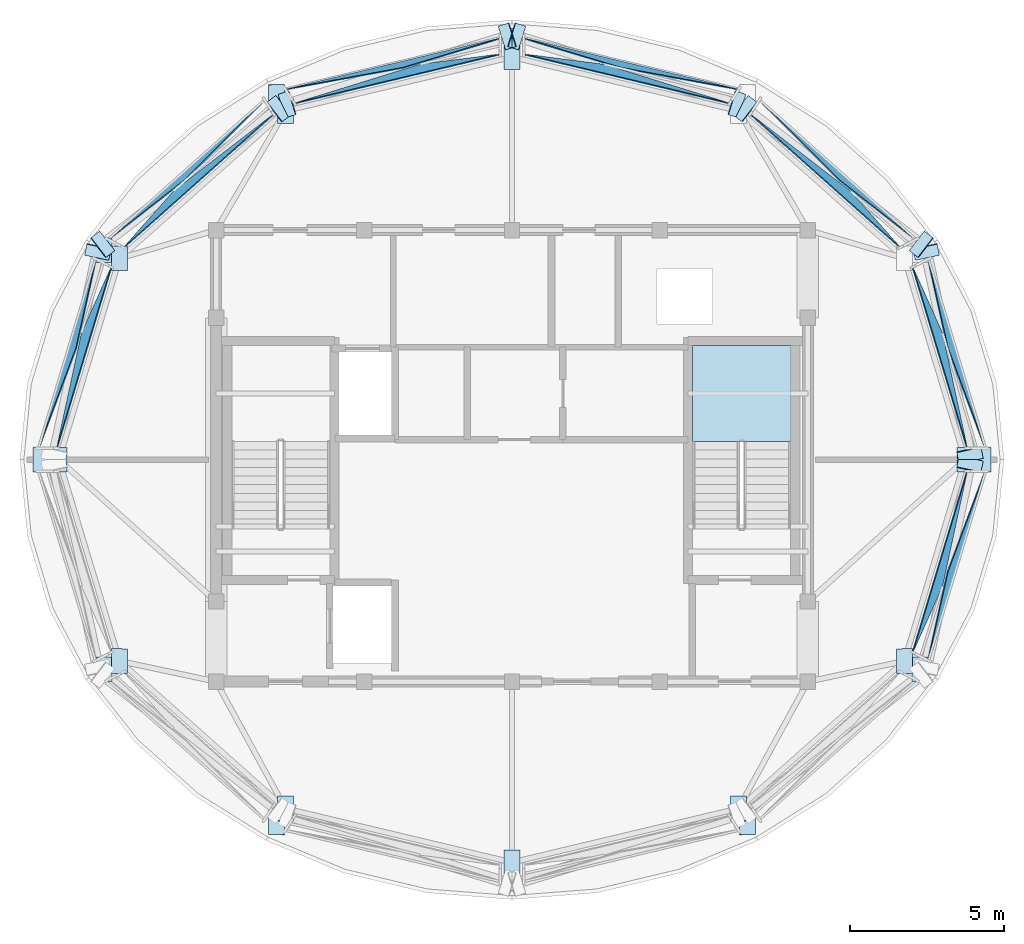
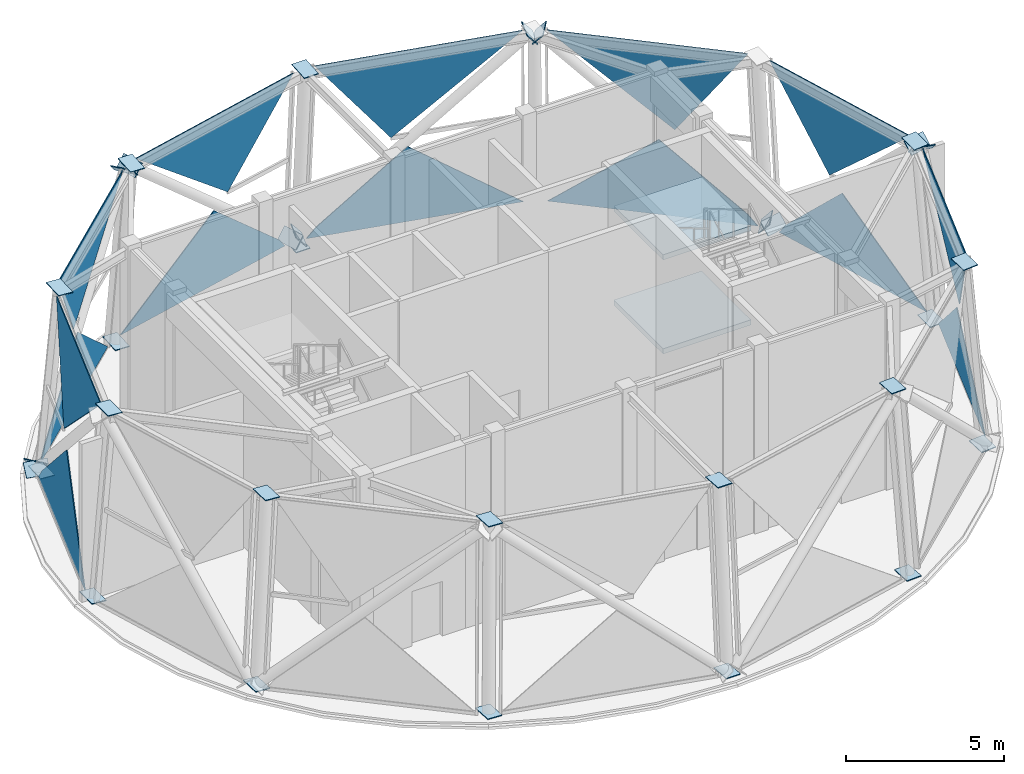
# One storey, part 4 of 8: 46 plates, 2 slabs, 8 elements without a shape of their own.
"""IFC4 building model written with IfcOpenShell, lengths in metres."""

import ifcopenshell
import ifcopenshell.guid

model = None  # the IFC model being written
_history = None  # IfcOwnerHistory: only IFC2X3 demands one
_inside = {}  # id of a spatial element -> (the spatial element, [elements in it])
_under = {}  # id of a project, library or spatial element -> (it, [spatial elements below it])
_declared = {}  # id of a project -> (the project, [libraries it declares])
_typed = {}  # id of a type object -> (the type object, [elements of that type])
_made_of = {}  # id of a material, layer set ... -> (it, [elements and type objects made of it])


def new_model(schema):
    """Start an empty IFC model of exactly this schema.

    Asked for "IFC4X3", IfcOpenShell would pick the latest addendum, in which some entities
    have other attributes; the version numbers below select the first issue.
    IFC2X3 requires an IfcOwnerHistory on every rooted entity: one is made here for all.
    """
    global model, _history
    if schema == "IFC4X3":
        model = ifcopenshell.file(schema_version=(4, 3, 0, 0))
    else:
        model = ifcopenshell.file(schema=schema)
    _inside.clear()
    _under.clear()
    _declared.clear()
    _typed.clear()
    _made_of.clear()
    _history = None
    if model.schema == "IFC2X3":
        org = make("IfcOrganization", Name="unknown")
        user = make(
            "IfcPersonAndOrganization",
            ThePerson=make("IfcPerson", FamilyName="unknown"),
            TheOrganization=org,
        )
        app = make(
            "IfcApplication",
            ApplicationDeveloper=org,
            Version="unknown",
            ApplicationFullName="unknown",
            ApplicationIdentifier="unknown",
        )
        _history = make(
            "IfcOwnerHistory",
            OwningUser=user,
            OwningApplication=app,
            ChangeAction="ADDED",
            CreationDate=0,
        )
    return model


def make(cls, **values):
    """One entity of the class cls with the attributes given. An attribute that is None is left unset."""
    return model.create_entity(
        cls, **{name: value for name, value in values.items() if value is not None}
    )


def rooted(cls, **values):
    """An entity with a GlobalId (a new one), such as an element, a storey or a relation."""
    return make(cls, GlobalId=ifcopenshell.guid.new(), OwnerHistory=_history, **values)


def si_unit(unit_type, name, prefix=None):
    """IfcSIUnit, for example si_unit("LENGTHUNIT", "METRE", prefix="MILLI")."""
    return make("IfcSIUnit", UnitType=unit_type, Prefix=prefix, Name=name)


def assignment(units):
    """IfcUnitAssignment: the units of a project."""
    return None if units is None else make("IfcUnitAssignment", Units=units)


def point(xyz):
    """IfcCartesianPoint."""
    return None if xyz is None else make("IfcCartesianPoint", Coordinates=xyz)


def direction(xyz):
    """IfcDirection."""
    return None if xyz is None else make("IfcDirection", DirectionRatios=xyz)


def frame(location, z_axis=None, x_axis=None):
    """IfcAxis2Placement3D, a coordinate frame: its origin and axes. An axis left out is left unset."""
    return make(
        "IfcAxis2Placement3D",
        Location=point(location),
        Axis=direction(z_axis),
        RefDirection=direction(x_axis),
    )


def origin():
    """The frame at (0, 0, 0) with its axes left unset."""
    return frame((0.0, 0.0, 0.0))


def place(relative_to, where):
    """IfcLocalPlacement: puts the frame where relative to a parent placement (None: the world)."""
    return make(
        "IfcLocalPlacement", PlacementRelTo=relative_to, RelativePlacement=where
    )


def context(
    kind, dimensions, precision=None, world=None, true_north=None, identifier=None
):
    """IfcGeometricRepresentationContext, for example the 3D "Model" context."""
    return make(
        "IfcGeometricRepresentationContext",
        ContextIdentifier=identifier,
        ContextType=kind,
        CoordinateSpaceDimension=dimensions,
        Precision=precision,
        WorldCoordinateSystem=world,
        TrueNorth=true_north,
    )


def subcontext(parent, identifier, kind, view, scale=None):
    """IfcGeometricRepresentationSubContext, for example "Body" below "Model"."""
    return make(
        "IfcGeometricRepresentationSubContext",
        ContextIdentifier=identifier,
        ContextType=kind,
        ParentContext=parent,
        TargetScale=scale,
        TargetView=view,
    )


def project(units=None, contexts=None):
    """IfcProject with its units and contexts."""
    return rooted(
        "IfcProject",
        Name="project",
        RepresentationContexts=contexts,
        UnitsInContext=assignment(units),
    )


def spatial(cls, under=None, at=None, **own):
    """A site, building, storey or space (cls), placed at a placement, below another one or the project."""
    s = rooted(cls, ObjectPlacement=at, **own)
    if under is not None:
        _under.setdefault(under.id(), (under, []))[1].append(s)
    return s


def polyline(points):
    """IfcPolyline through the points."""
    return make("IfcPolyline", Points=[point(p) for p in points])


def outline(outer, holes=None, kind="AREA"):
    """IfcArbitraryClosedProfileDef: a profile drawn as a closed curve; with holes, ...WithVoids."""
    if holes is None:
        return make("IfcArbitraryClosedProfileDef", ProfileType=kind, OuterCurve=outer)
    return make(
        "IfcArbitraryProfileDefWithVoids",
        ProfileType=kind,
        OuterCurve=outer,
        InnerCurves=holes,
    )


def extrude(swept, where, along, depth):
    """IfcExtrudedAreaSolid: the profile swept, set in the frame where, extruded along a direction by depth."""
    return make(
        "IfcExtrudedAreaSolid",
        SweptArea=swept,
        Position=where,
        ExtrudedDirection=direction(along),
        Depth=depth,
    )


def shape(context_of_items, identifier, shape_type, items):
    """IfcShapeRepresentation: the items that make up one representation, for example the "Body"."""
    return make(
        "IfcShapeRepresentation",
        ContextOfItems=context_of_items,
        RepresentationIdentifier=identifier,
        RepresentationType=shape_type,
        Items=items,
    )


def material(Name=None, Category=None):
    """IfcMaterial."""
    return make("IfcMaterial", Name=Name, Category=Category)


def layer(
    of_material, thickness, ventilated=None, Name=None, Category=None, Priority=None
):
    """IfcMaterialLayer: one layer of a wall or slab, of a material (None: an air gap)."""
    return make(
        "IfcMaterialLayer",
        Material=of_material,
        LayerThickness=thickness,
        IsVentilated=ventilated,
        Name=Name,
        Category=Category,
        Priority=Priority,
    )


def layer_set(layers, Name=None):
    """IfcMaterialLayerSet."""
    return make("IfcMaterialLayerSet", MaterialLayers=layers, LayerSetName=Name)


def made_of(thing, what):
    """Note that an element or type object is made of a material, layer set ...; save() writes the relation."""
    if what is not None:
        _made_of.setdefault(what.id(), (what, []))[1].append(thing)
    return thing


def type_object(cls, material=None, **own):
    """A type object (cls), such as IfcWallType, which elements share."""
    return made_of(rooted(cls, **own), material)


def element(
    cls,
    number,
    at=None,
    inside=None,
    cuts=None,
    type_object=None,
    material=None,
    context=None,
    identifier="Body",
    shape_type=None,
    held_by="IfcProductDefinitionShape",
    body=None,
    shapes=None,
    **own,
):
    """One element of the class cls, such as IfcWall. Its Tag is "e" and its number.

    at: its placement. inside: the storey or other place that contains it. cuts: it is an
    opening in that element (IfcRelVoidsElement). A single representation is given by context,
    identifier, shape_type and body (its items); several are given by shapes. held_by: the class
    of the entity that holds the representations. save() writes the other relations.
    """
    e = rooted(cls, Tag="e%d" % number, ObjectPlacement=at, **own)
    if body is not None:
        shapes = [shape(context, identifier, shape_type, body)]
    if shapes is not None:
        e.Representation = make(held_by, Representations=shapes)
    if inside is not None:
        _inside.setdefault(inside.id(), (inside, []))[1].append(e)
    if cuts is not None:
        rooted(
            "IfcRelVoidsElement", RelatingBuildingElement=cuts, RelatedOpeningElement=e
        )
    if type_object is not None:
        _typed.setdefault(type_object.id(), (type_object, []))[1].append(e)
    return made_of(e, material)


def aggregate(whole, parts):
    """IfcRelAggregates: a whole, such as a stair, and the parts it consists of."""
    return rooted("IfcRelAggregates", RelatingObject=whole, RelatedObjects=parts)


def save(model, path):
    """Write the relations noted so far, then the file.

    IfcRelAggregates (storeys below a building ...), IfcRelContainedInSpatialStructure (elements
    in a storey), IfcRelDefinesByType, IfcRelAssociatesMaterial and IfcRelDeclares: one each for
    every whole, place, type object, material and project.
    """
    for whole, parts in _under.values():
        aggregate(whole, parts)
    for where, things in _inside.values():
        rooted(
            "IfcRelContainedInSpatialStructure",
            RelatedElements=things,
            RelatingStructure=where,
        )
    for kind, things in _typed.values():
        rooted("IfcRelDefinesByType", RelatedObjects=things, RelatingType=kind)
    for what, things in _made_of.values():
        rooted("IfcRelAssociatesMaterial", RelatedObjects=things, RelatingMaterial=what)
    for by, libraries in _declared.values():
        rooted("IfcRelDeclares", RelatingContext=by, RelatedDefinitions=libraries)
    model.write(path)


model = new_model("IFC4")

# Units and contexts
model_context = context("Model", 3, precision=1e-05, world=origin(), true_north=direction((0.0, 1.0)))
body_context = subcontext(model_context, "Body", "Model", "MODEL_VIEW")
ifc_project = project(units=[si_unit("LENGTHUNIT", "METRE"), si_unit("AREAUNIT", "SQUARE_METRE"), si_unit("VOLUMEUNIT", "CUBIC_METRE"), si_unit("PLANEANGLEUNIT", "RADIAN"), si_unit("MASSUNIT", "GRAM", prefix="KILO")], contexts=[model_context])

# Site, building, storey
site_placement = place(None, origin())
site = spatial("IfcSite", under=ifc_project, at=site_placement, CompositionType="ELEMENT")
building_placement = place(site_placement, origin())
building = spatial("IfcBuilding", under=site, at=building_placement, Name="Vantalir Tower", CompositionType="ELEMENT")
storey_placement = place(building_placement, frame((0.0, 0.0, 326.25)))
storey = spatial("IfcBuildingStorey", under=building, at=storey_placement, Name="L79", CompositionType="ELEMENT", Elevation=326.25)

# Curtain wall, plates
ifc_material_1 = material(Name="Champagne-silver PVDF aluminium and double-silver Low-E glass", Category="aluminium")
ifc_layer_1 = layer(ifc_material_1, 0.25)
ifc_layer_set_1 = layer_set([ifc_layer_1], Name="Champagne-silver PVDF aluminium and double-silver Low-E glass")
curtain_wall_type = type_object("IfcCurtainWallType", Name="CW-CROWN-PT", PredefinedType="USERDEFINED", material=ifc_layer_set_1)
curtain_wall_1_placement = place(storey_placement, origin())
curtain_wall_1 = element("IfcCurtainWall", 1, at=curtain_wall_1_placement, inside=storey, type_object=curtain_wall_type, Name="L79 Quilted Pyramid-Diamond Curtain Wall S01", ObjectType="UNITISED CURTAIN WALL", PredefinedType="USERDEFINED")
ifc_material_2 = material(Name="Faceted crown Low-E glass IGU", Category="glass")
ifc_layer_2 = layer(ifc_material_2, 0.033935546875)
ifc_layer_set_2 = layer_set([ifc_layer_2], Name="Faceted crown Low-E glass IGU")
plate_type_1 = type_object("IfcPlateType", Name="CWP-IGU-CRN-34", PredefinedType="CURTAIN_PANEL", material=ifc_layer_set_2)
plate_1_placement = place(storey_placement, frame((46.861083984375, 25.386962890625, 0.0498046875), z_axis=(0.954971903618, 0.287466262789, 0.073428952448), x_axis=(-0.28825239973, 0.95755445858, 0.000113596447)))
plate_1 = element("IfcPlate", 2, at=plate_1_placement, type_object=plate_type_1, Name="CW-L79-S01 Pyramid Diamond Facet 1L", PredefinedType="CURTAIN_PANEL", context=body_context, shape_type="SweptSolid", body=[
    extrude(outline(polyline([(0.0, 0.0), (6.387296382688076, -8.239936510889834e-18), (6.066592633411066, 0.4595357740864433), (3.4558863053498055, 3.0363618572266384), (0.0, 0.0)])), origin(), (0.0, 0.0, -1.0), 0.033935546875),
])
plate_2_placement = place(storey_placement, frame((44.512939453125, 31.241455078125, 7.019287109375), z_axis=(0.953928506472, 0.287116364319, 0.087089596859), x_axis=(0.288201397681, -0.957569809477, 0.000119801052)))
plate_2 = element("IfcPlate", 3, at=plate_2_placement, type_object=plate_type_1, Name="CW-L79-S01 Pyramid Diamond Facet 2U", PredefinedType="CURTAIN_PANEL", context=body_context, shape_type="SweptSolid", body=[
    extrude(outline(polyline([(0.0, 0.0), (6.113651442364142, -1.1709383462843448e-17), (2.3225375550498986, 3.4832394579378456), (0.0, 0.0)])), origin(), (0.0, 0.0, -1.0), 0.033935546875),
])
aggregate(curtain_wall_1, [plate_1, plate_2])

curtain_wall_2_placement = place(storey_placement, origin())
curtain_wall_2 = element("IfcCurtainWall", 4, at=curtain_wall_2_placement, inside=storey, type_object=curtain_wall_type, Name="L79 Quilted Pyramid-Diamond Curtain Wall S02", ObjectType="UNITISED CURTAIN WALL", PredefinedType="USERDEFINED")
plate_3_placement = place(storey_placement, frame((44.60205078125, 32.158447265625, 0.05029296875), z_axis=(0.663435874919, 0.744995451567, 0.069531410274), x_axis=(-0.746797853756, 0.665051091145, -0.000108590769)))
plate_3 = element("IfcPlate", 5, at=plate_3_placement, type_object=plate_type_1, Name="CW-L79-S02 Pyramid Diamond Facet 1L", PredefinedType="CURTAIN_PANEL", context=body_context, shape_type="SweptSolid", body=[
    extrude(outline(polyline([(0.0, 0.0), (6.777353485525245, 3.7838655819744105e-17), (3.14819144028651, 3.036010059705494), (0.31566702452672696, 0.4192583401444931), (0.0, 0.0)])), origin(), (0.0, 0.0, -1.0), 0.033935546875),
])
plate_4_placement = place(storey_placement, frame((39.248046875, 36.21240234375, 7.020263671875), z_axis=(0.662704203107, 0.744272175005, 0.08295823466), x_axis=(0.746852779527, -0.664989408167, -0.000112863104)))
plate_4 = element("IfcPlate", 6, at=plate_4_placement, type_object=plate_type_1, Name="CW-L79-S02 Pyramid Diamond Facet 2U", PredefinedType="CURTAIN_PANEL", context=body_context, shape_type="SweptSolid", body=[
    extrude(outline(polyline([(0.0, 0.0), (6.4894713126281145, 1.3877787807814457e-17), (4.075482456736923, 3.4822463924987708), (0.0, 0.0)])), origin(), (0.0, 0.0, -1.0), 0.033935546875),
])
aggregate(curtain_wall_2, [plate_3, plate_4])

curtain_wall_3_placement = place(storey_placement, origin())
curtain_wall_3 = element("IfcCurtainWall", 7, at=curtain_wall_3_placement, inside=storey, type_object=curtain_wall_type, Name="L79 Quilted Pyramid-Diamond Curtain Wall S03", ObjectType="UNITISED CURTAIN WALL", PredefinedType="USERDEFINED")
plate_5_placement = place(storey_placement, frame((38.845703125, 37.028564453125, 0.04931640625), z_axis=(0.231519732009, 0.970586065133, 0.06604016854), x_axis=(-0.972711086417, 0.232019680071, 0.000102085378)))
plate_5 = element("IfcPlate", 8, at=plate_5_placement, type_object=plate_type_1, Name="CW-L79-S03 Pyramid Diamond Facet 1L", PredefinedType="CURTAIN_PANEL", context=body_context, shape_type="SweptSolid", body=[
    extrude(outline(polyline([(0.0, 0.0), (7.147699294911774, -9.324138683375338e-18), (6.840096326920463, 0.3932265617337405), (3.8701339111406603, 3.0399298642845127), (0.0, 0.0)])), origin(), (0.0, 0.0, -1.0), 0.033935546875),
])
plate_6_placement = place(storey_placement, frame((31.89306640625, 38.16357421875, 7.019775390625), z_axis=(0.231254314159, 0.969627135223, 0.079653379228), x_axis=(0.972715838979, -0.231999752489, 0.00010697806)))
plate_6 = element("IfcPlate", 9, at=plate_6_placement, type_object=plate_type_1, Name="CW-L79-S03 Pyramid Diamond Facet 2U", PredefinedType="CURTAIN_PANEL", context=body_context, shape_type="SweptSolid", body=[
    extrude(outline(polyline([(0.0, 0.0), (6.846468107006452, 3.3176586478056436e-17), (2.5977308855016408, 3.481554981114944), (0.0, 0.0)])), origin(), (0.0, 0.0, -1.0), 0.033935546875),
])
aggregate(curtain_wall_3, [plate_5, plate_6])

curtain_wall_4_placement = place(storey_placement, origin())
curtain_wall_4 = element("IfcCurtainWall", 10, at=curtain_wall_4_placement, inside=storey, type_object=curtain_wall_type, Name="L79 Quilted Pyramid-Diamond Curtain Wall S04", ObjectType="UNITISED CURTAIN WALL", PredefinedType="USERDEFINED")
plate_7_placement = place(storey_placement, frame((31.10693359375, 38.68701171875, 0.050048828125), z_axis=(-0.231522640447, 0.970584345061, 0.066055250232), x_axis=(-0.972710339385, -0.232022811786, -0.000102298426)))
plate_7 = element("IfcPlate", 11, at=plate_7_placement, type_object=plate_type_1, Name="CW-L79-S04 Pyramid Diamond Facet 1L", PredefinedType="CURTAIN_PANEL", context=body_context, shape_type="SweptSolid", body=[
    extrude(outline(polyline([(0.0, 0.0), (7.1476992950087475, 8.023096076392733e-18), (3.277327905762921, 3.0399335811870287), (0.3076029431640908, 0.39347016970285986), (0.0, 0.0)])), origin(), (0.0, 0.0, -1.0), 0.033935546875),
])
plate_8_placement = place(storey_placement, frame((24.4482421875, 36.5751953125, 7.0205078125), z_axis=(-0.231285946455, 0.969617574143, 0.079677919691), x_axis=(0.97270816008, 0.23203194579, -0.000106992905)))
plate_8 = element("IfcPlate", 12, at=plate_8_placement, type_object=plate_type_1, Name="CW-L79-S04 Pyramid Diamond Facet 2U", PredefinedType="CURTAIN_PANEL", context=body_context, shape_type="SweptSolid", body=[
    extrude(outline(polyline([(0.0, 0.0), (6.8455181929441515, -3.176712365382528e-17), (4.247796538609117, 3.481561868847698), (0.0, 0.0)])), origin(), (0.0, 0.0, -1.0), 0.033935546875),
])
aggregate(curtain_wall_4, [plate_7, plate_8])

curtain_wall_5_placement = place(storey_placement, origin())
curtain_wall_5 = element("IfcCurtainWall", 13, at=curtain_wall_5_placement, inside=storey, type_object=curtain_wall_type, Name="L79 Quilted Pyramid-Diamond Curtain Wall S05", ObjectType="UNITISED CURTAIN WALL", PredefinedType="USERDEFINED")
plate_9_placement = place(storey_placement, frame((23.459228515625, 36.665771484375, 0.049560546875), z_axis=(-0.663432360652, 0.744993198834, 0.069589054682), x_axis=(-0.746798596783, -0.665050256773, 0.000108669141)))
plate_9 = element("IfcPlate", 14, at=plate_9_placement, type_object=plate_type_1, Name="CW-L79-S05 Pyramid Diamond Facet 1L", PredefinedType="CURTAIN_PANEL", context=body_context, shape_type="SweptSolid", body=[
    extrude(outline(polyline([(0.0, 0.0), (6.777353485464033, -3.350184712980209e-17), (6.461686434672841, 0.41901478787867974), (3.628979696285714, 3.035777825884498), (0.0, 0.0)])), origin(), (0.0, 0.0, -1.0), 0.033935546875),
])
plate_10_placement = place(storey_placement, frame((18.905517578125, 31.89697265625, 7.01953125), z_axis=(-0.66264548881, 0.744318689217, 0.083009909301), x_axis=(0.746902682515, 0.66493335765, 0.000112853591)))
plate_10 = element("IfcPlate", 15, at=plate_10_placement, type_object=plate_type_1, Name="CW-L79-S05 Pyramid Diamond Facet 2U", PredefinedType="CURTAIN_PANEL", context=body_context, shape_type="SweptSolid", body=[
    extrude(outline(polyline([(0.0, 0.0), (6.490018342217035, -6.743737512859838e-17), (2.4139672026120373, 3.4822614030470174), (0.0, 0.0)])), origin(), (0.0, 0.0, -1.0), 0.033935546875),
])
aggregate(curtain_wall_5, [plate_9, plate_10])

curtain_wall_6_placement = place(storey_placement, origin())
curtain_wall_6 = element("IfcCurtainWall", 16, at=curtain_wall_6_placement, inside=storey, type_object=curtain_wall_type, Name="L79 Quilted Pyramid-Diamond Curtain Wall S06", ObjectType="UNITISED CURTAIN WALL", PredefinedType="USERDEFINED")
plate_11_placement = place(storey_placement, frame((17.97998046875, 31.503173828125, 0.050537109375), z_axis=(-0.954971903618, 0.287466262789, 0.073428952448), x_axis=(-0.28825239973, -0.95755445858, -0.000113596447)))
plate_11 = element("IfcPlate", 17, at=plate_11_placement, type_object=plate_type_1, Name="CW-L79-S06 Pyramid Diamond Facet 1L", PredefinedType="CURTAIN_PANEL", context=body_context, shape_type="SweptSolid", body=[
    extrude(outline(polyline([(0.0, 0.0), (6.387296382688076, 8.239936510889834e-18), (2.9314100773382705, 3.036361857226639), (0.3207037492770103, 0.45953577408644336), (0.0, 0.0)])), origin(), (0.0, 0.0, -1.0), 0.033935546875),
])
plate_12_placement = place(storey_placement, frame((16.72509765625, 25.38720703125, 7.02001953125), z_axis=(-0.953928506472, 0.287116364319, 0.087089596859), x_axis=(0.288201397681, 0.957569809477, -0.000119801052)))
plate_12 = element("IfcPlate", 18, at=plate_12_placement, type_object=plate_type_1, Name="CW-L79-S06 Pyramid Diamond Facet 2U", PredefinedType="CURTAIN_PANEL", context=body_context, shape_type="SweptSolid", body=[
    extrude(outline(polyline([(0.0, 0.0), (6.113651442364142, 1.1709383462843448e-17), (3.7911138873142436, 3.4832394579378456), (0.0, 0.0)])), origin(), (0.0, 0.0, -1.0), 0.033935546875),
])
aggregate(curtain_wall_6, [plate_11, plate_12])

curtain_wall_7_placement = place(storey_placement, origin())
curtain_wall_7 = element("IfcCurtainWall", 19, at=curtain_wall_7_placement, inside=storey, type_object=curtain_wall_type, Name="L79 Quilted Pyramid-Diamond Curtain Wall S12", ObjectType="UNITISED CURTAIN WALL", PredefinedType="USERDEFINED")
plate_13_placement = place(storey_placement, frame((45.02001953125, 18.495849609375, 0.050537109375), z_axis=(0.954985169189, -0.287421823225, 0.073430389916), x_axis=(0.288207882144, 0.957567858551, -0.000113758402)))
plate_13 = element("IfcPlate", 20, at=plate_13_placement, type_object=plate_type_1, Name="CW-L79-S12 Pyramid Diamond Facet 1L", PredefinedType="CURTAIN_PANEL", context=body_context, shape_type="SweptSolid", body=[
    extrude(outline(polyline([(0.0, 0.0), (6.388231504972125, 1.1492543028346347e-17), (2.9318875115697947, 3.0363627100180595), (0.3207052477746385, 0.4595347311922977), (0.0, 0.0)])), origin(), (0.0, 0.0, -1.0), 0.033935546875),
])
plate_14_placement = place(storey_placement, frame((46.27490234375, 24.61279296875, 7.02001953125), z_axis=(0.953948103086, -0.287074365178, 0.087013363784), x_axis=(-0.28815732165, -0.957583074011, -0.00011978273)))
plate_14 = element("IfcPlate", 21, at=plate_14_placement, type_object=plate_type_1, Name="CW-L79-S12 Pyramid Diamond Facet 2U", PredefinedType="CURTAIN_PANEL", context=body_context, shape_type="SweptSolid", body=[
    extrude(outline(polyline([(0.0, 0.0), (6.114586575608529, 1.4203048459560108e-17), (3.7916657034880834, 3.4832161693956167), (0.0, 0.0)])), origin(), (0.0, 0.0, -1.0), 0.033935546875),
])
aggregate(curtain_wall_7, [plate_13, plate_14])

# Plates
ifc_material_3 = material(Name="Steel S460", Category="steel")
ifc_layer_3 = layer(ifc_material_3, 0.031982421875)
ifc_layer_set_3 = layer_set([ifc_layer_3], Name="Steel S460")
plate_type_2 = type_object("IfcPlateType", Name="PLT-KN-Z3", PredefinedType="USERDEFINED", material=ifc_layer_set_3)
plate_15_placement = place(storey_placement, frame((45.93994140625, 25.39990234375, 7.072509765625), z_axis=(-0.082656805175, 0.0, 0.996578071482), x_axis=(0.0, -1.0, 0.0)))
element("IfcPlate", 22, at=plate_15_placement, inside=storey, type_object=plate_type_2, Name="L79 Ring Column Top Cap RC01", ObjectType="FLANGE_PLATE", PredefinedType="USERDEFINED", context=body_context, shape_type="SweptSolid", body=[
    extrude(outline(polyline([(0.0, 0.0), (0.7998046875, 0.0), (0.7998046875, 0.5198452796374634), (0.0, 0.5198452796374634), (0.0, 0.0)])), origin(), (0.0, 0.0, -1.0), 0.031982421875),
])
plate_16_placement = place(storey_placement, frame((46.5244140625, 25.39990234375, 0.03125), z_axis=(-0.082618137027, 0.0, 0.996581277887), x_axis=(0.0, -1.0, 0.0)))
element("IfcPlate", 23, at=plate_16_placement, inside=storey, type_object=plate_type_2, Name="L79 Ring Column Base Cap RC01", ObjectType="FLANGE_PLATE", PredefinedType="USERDEFINED", context=body_context, shape_type="SweptSolid", body=[
    extrude(outline(polyline([(0.0, 0.0), (0.7998046875, 0.0), (0.7998046875, 0.5200885852221947), (0.0, 0.5200885852221947), (0.0, 0.0)])), origin(), (0.0, 0.0, -1.0), 0.031982421875),
])
plate_17_placement = place(storey_placement, frame((31.239990234375, 38.464111328125, 7.12353515625), z_axis=(0.0, -0.073849204258, 0.99726941948), x_axis=(0.0, -0.99726941948, -0.073849204258)))
element("IfcPlate", 24, at=plate_17_placement, inside=storey, type_object=plate_type_2, Name="L79 Ring Column Top Cap RC04", ObjectType="FLANGE_PLATE", PredefinedType="USERDEFINED", context=body_context, shape_type="SweptSolid", body=[
    extrude(outline(polyline([(0.0, 0.0), (0.8000361255595384, 0.0), (0.8000361255595384, 0.52001953125), (0.0, 0.52001953125), (0.0, 0.0)])), origin(), (0.0, 0.0, -1.0), 0.031982421875),
])
plate_18_placement = place(storey_placement, frame((31.239990234375, 38.986083984375, 0.08251953125), z_axis=(0.0, -0.074152691722, 0.997246899374), x_axis=(0.0, -0.997246899374, -0.074152691722)))
element("IfcPlate", 25, at=plate_18_placement, inside=storey, type_object=plate_type_2, Name="L79 Ring Column Base Cap RC04", ObjectType="FLANGE_PLATE", PredefinedType="USERDEFINED", context=body_context, shape_type="SweptSolid", body=[
    extrude(outline(polyline([(0.0, 0.0), (0.8000541921976495, 0.0), (0.8000541921976495, 0.52001953125), (0.0, 0.52001953125), (0.0, 0.0)])), origin(), (0.0, 0.0, -1.0), 0.031982421875),
])
plate_19_placement = place(storey_placement, frame((23.89111328125, 36.712890625, 7.13037109375), z_axis=(0.041394092336, -0.064033232104, 0.997088899901), x_axis=(0.0, -0.997944240657, -0.064088162244)))
element("IfcPlate", 26, at=plate_19_placement, inside=storey, type_object=plate_type_2, Name="L79 Ring Column Top Cap RC05", ObjectType="FLANGE_PLATE", PredefinedType="USERDEFINED", context=body_context, shape_type="SweptSolid", body=[
    extrude(outline(polyline([(0.0, 0.0), (0.7999844191941299, -4.336808689942018e-19), (0.7998994809210664, 0.5202212737107296), (-8.493827306336088e-05, 0.5202212737107296), (0.0, 0.0)])), origin(), (0.0, 0.0, -1.0), 0.031982421875),
])
plate_20_placement = place(storey_placement, frame((23.598388671875, 37.1650390625, 0.08935546875), z_axis=(0.041881250253, -0.064031931003, 0.997068639909), x_axis=(0.0, -0.997944240657, -0.064088162244)))
element("IfcPlate", 27, at=plate_20_placement, inside=storey, type_object=plate_type_2, Name="L79 Ring Column Base Cap RC05", ObjectType="FLANGE_PLATE", PredefinedType="USERDEFINED", context=body_context, shape_type="SweptSolid", body=[
    extrude(outline(polyline([(0.0, 0.0), (0.7999844191941299, -4.336808689942018e-19), (0.7999151274450518, 0.5199874893530553), (-6.929174907800489e-05, 0.5199874893530554), (0.0, 0.0)])), origin(), (0.0, 0.0, -1.0), 0.031982421875),
])
plate_21_placement = place(storey_placement, frame((18.511474609375, 31.93115234375, 7.12744140625), z_axis=(0.071669087608, -0.036978395719, 0.996742765277), x_axis=(1.0898646e-05, -0.999312503795, -0.037074514705)))
element("IfcPlate", 28, at=plate_21_placement, inside=storey, type_object=plate_type_2, Name="L79 Ring Column Top Cap RC06", ObjectType="FLANGE_PLATE", PredefinedType="USERDEFINED", context=body_context, shape_type="SweptSolid", body=[
    extrude(outline(polyline([(0.0, 0.0), (0.8001151222465676, -4.336808689942018e-19), (0.8000327491841883, 0.5198828654790977), (-7.332166718758155e-05, 0.5199003506871953), (0.0, 0.0)])), origin(), (0.0, 0.0, -1.0), 0.031982421875),
])
plate_22_placement = place(storey_placement, frame((18.00439453125, 32.192138671875, 0.086181640625), z_axis=(0.071626877496, -0.036984146802, 0.996745586048), x_axis=(-1.1296542e-05, -0.999312353157, -0.037078574665)))
element("IfcPlate", 29, at=plate_22_placement, inside=storey, type_object=plate_type_2, Name="L79 Ring Column Base Cap RC06", ObjectType="FLANGE_PLATE", PredefinedType="USERDEFINED", context=body_context, shape_type="SweptSolid", body=[
    extrude(outline(polyline([(0.0, 0.0), (0.8001060703430933, 4.336808689942018e-19), (0.8000213883736864, 0.5201438568956265), (0.00015023838667025248, 0.5201257361426869), (0.0, 0.0)])), origin(), (0.0, 0.0, -1.0), 0.031982421875),
])
plate_23_placement = place(storey_placement, frame((16.5419921875, 25.39990234375, 7.115478515625), z_axis=(0.082656805175, 0.0, 0.996578071482), x_axis=(0.0, -1.0, 0.0)))
element("IfcPlate", 30, at=plate_23_placement, inside=storey, type_object=plate_type_2, Name="L79 Ring Column Top Cap RC07", ObjectType="FLANGE_PLATE", PredefinedType="USERDEFINED", context=body_context, shape_type="SweptSolid", body=[
    extrude(outline(polyline([(0.0, 0.0), (0.7998046875, 0.0), (0.7998046875, 0.5198452796374634), (0.0, 0.5198452796374634), (0.0, 0.0)])), origin(), (0.0, 0.0, -1.0), 0.031982421875),
])
plate_24_placement = place(storey_placement, frame((15.957275390625, 25.39990234375, 0.07421875), z_axis=(0.082618137027, 0.0, 0.996581277887), x_axis=(0.0, -1.0, 0.0)))
element("IfcPlate", 31, at=plate_24_placement, inside=storey, type_object=plate_type_2, Name="L79 Ring Column Base Cap RC07", ObjectType="FLANGE_PLATE", PredefinedType="USERDEFINED", context=body_context, shape_type="SweptSolid", body=[
    extrude(outline(polyline([(0.0, 0.0), (0.7998046875, 0.0), (0.7998046875, 0.5200885852221947), (0.0, 0.5200885852221947), (0.0, 0.0)])), origin(), (0.0, 0.0, -1.0), 0.031982421875),
])
plate_25_placement = place(storey_placement, frame((18.511474609375, 18.8671875, 7.09765625), z_axis=(0.071660426999, 0.036984057449, 0.996743177903), x_axis=(-1.1305125e-05, -0.999312292961, 0.037080196987)))
element("IfcPlate", 32, at=plate_25_placement, inside=storey, type_object=plate_type_2, Name="L79 Ring Column Top Cap RC08", ObjectType="FLANGE_PLATE", PredefinedType="USERDEFINED", context=body_context, shape_type="SweptSolid", body=[
    extrude(outline(polyline([(0.0, 0.0), (0.7998711501923234, 0.0), (0.799944048515807, 0.5199003496705447), (-0.00016202162182263726, 0.5198822151054651), (0.0, 0.0)])), origin(), (0.0, 0.0, -1.0), 0.031982421875),
])
plate_26_placement = place(storey_placement, frame((18.00439453125, 18.6064453125, 0.056640625), z_axis=(0.071635534092, 0.036978485081, 0.996745174002), x_axis=(1.0893693e-05, -0.999312561834, 0.037072950286)))
element("IfcPlate", 33, at=plate_26_placement, inside=storey, type_object=plate_type_2, Name="L79 Ring Column Base Cap RC08", ObjectType="FLANGE_PLATE", PredefinedType="USERDEFINED", context=body_context, shape_type="SweptSolid", body=[
    extrude(outline(polyline([(0.0, 0.0), (0.8001060710423886, 4.336808689942018e-19), (0.8001998054235657, 0.5201263807513746), (8.468336792353615e-05, 0.5201438579710826), (0.0, 0.0)])), origin(), (0.0, 0.0, -1.0), 0.031982421875),
])
plate_27_placement = place(storey_placement, frame((23.89013671875, 14.08544921875, 7.0791015625), z_axis=(0.041413511093, 0.064033180532, 0.997088096855), x_axis=(0.0, -0.997944240657, 0.064088162244)))
element("IfcPlate", 34, at=plate_27_placement, inside=storey, type_object=plate_type_2, Name="L79 Ring Column Top Cap RC09", ObjectType="FLANGE_PLATE", PredefinedType="USERDEFINED", context=body_context, shape_type="SweptSolid", body=[
    extrude(outline(polyline([(0.0, 0.0), (0.7999844191941299, 4.336808689942018e-19), (0.8000693574671932, 0.5199773424375382), (8.493827306336088e-05, 0.5199773424375382), (0.0, 0.0)])), origin(), (0.0, 0.0, -1.0), 0.031982421875),
])
plate_28_placement = place(storey_placement, frame((23.598388671875, 13.63330078125, 0.037841796875), z_axis=(0.040945744704, 0.064034416075, 0.997107336022), x_axis=(0.0, -0.997944240657, 0.064088162244)))
element("IfcPlate", 35, at=plate_28_placement, inside=storey, type_object=plate_type_2, Name="L79 Ring Column Base Cap RC09", ObjectType="FLANGE_PLATE", PredefinedType="USERDEFINED", context=body_context, shape_type="SweptSolid", body=[
    extrude(outline(polyline([(0.0, 0.0), (0.7999844191941299, 4.336808689942018e-19), (0.8000850039911785, 0.5199673094847195), (0.00010058479704871687, 0.5199673094847194), (0.0, 0.0)])), origin(), (0.0, 0.0, -1.0), 0.031982421875),
])
plate_29_placement = place(storey_placement, frame((31.239990234375, 12.333740234375, 7.064453125), z_axis=(0.0, 0.073849204258, 0.99726941948), x_axis=(0.0, -0.99726941948, 0.073849204258)))
element("IfcPlate", 36, at=plate_29_placement, inside=storey, type_object=plate_type_2, Name="L79 Ring Column Top Cap RC10", ObjectType="FLANGE_PLATE", PredefinedType="USERDEFINED", context=body_context, shape_type="SweptSolid", body=[
    extrude(outline(polyline([(0.0, 0.0), (0.8000361255595384, 0.0), (0.8000361255595384, 0.52001953125), (0.0, 0.52001953125), (0.0, 0.0)])), origin(), (0.0, 0.0, -1.0), 0.031982421875),
])
plate_30_placement = place(storey_placement, frame((31.239990234375, 11.811767578125, 0.023193359375), z_axis=(0.0, 0.074152691722, 0.997246899374), x_axis=(0.0, -0.997246899374, 0.074152691722)))
element("IfcPlate", 37, at=plate_30_placement, inside=storey, type_object=plate_type_2, Name="L79 Ring Column Base Cap RC10", ObjectType="FLANGE_PLATE", PredefinedType="USERDEFINED", context=body_context, shape_type="SweptSolid", body=[
    extrude(outline(polyline([(0.0, 0.0), (0.8000541921976495, 0.0), (0.8000541921976495, 0.52001953125), (0.0, 0.52001953125), (0.0, 0.0)])), origin(), (0.0, 0.0, -1.0), 0.031982421875),
])
plate_31_placement = place(storey_placement, frame((38.59033203125, 14.083984375, 7.0576171875), z_axis=(-0.041413511093, 0.064033180532, 0.997088096855), x_axis=(0.0, -0.997944240657, 0.064088162244)))
element("IfcPlate", 38, at=plate_31_placement, inside=storey, type_object=plate_type_2, Name="L79 Ring Column Top Cap RC11", ObjectType="FLANGE_PLATE", PredefinedType="USERDEFINED", context=body_context, shape_type="SweptSolid", body=[
    extrude(outline(polyline([(0.0, 0.0), (0.7999844191941299, -4.336808689942018e-19), (0.7998994809210664, 0.5199773424375382), (-8.493827306336088e-05, 0.5199773424375382), (0.0, 0.0)])), origin(), (0.0, 0.0, -1.0), 0.031982421875),
])
plate_32_placement = place(storey_placement, frame((38.882080078125, 13.6318359375, 0.0166015625), z_axis=(-0.040945744704, 0.064034416075, 0.997107336022), x_axis=(0.0, -0.997944240657, 0.064088162244)))
element("IfcPlate", 39, at=plate_32_placement, inside=storey, type_object=plate_type_2, Name="L79 Ring Column Base Cap RC11", ObjectType="FLANGE_PLATE", PredefinedType="USERDEFINED", context=body_context, shape_type="SweptSolid", body=[
    extrude(outline(polyline([(0.0, 0.0), (0.7999844191941299, -4.336808689942018e-19), (0.7998838343970811, 0.5199673094847194), (-0.00010058479704871687, 0.5199673094847194), (0.0, 0.0)])), origin(), (0.0, 0.0, -1.0), 0.031982421875),
])
plate_33_placement = place(storey_placement, frame((43.969970703125, 18.865966796875, 7.060546875), z_axis=(-0.071660426999, 0.036984057449, 0.996743177903), x_axis=(-1.1301806e-05, -0.999312353186, 0.037078573906)))
element("IfcPlate", 40, at=plate_33_placement, inside=storey, type_object=plate_type_2, Name="L79 Ring Column Top Cap RC12", ObjectType="FLANGE_PLATE", PredefinedType="USERDEFINED", context=body_context, shape_type="SweptSolid", body=[
    extrude(outline(polyline([(0.0, 0.0), (0.8001060703431415, 0.0), (0.8000213883736383, 0.51990034788475), (0.00015023838676640755, 0.5198822186441832), (0.0, 0.0)])), origin(), (0.0, 0.0, -1.0), 0.031982421875),
])
plate_34_placement = place(storey_placement, frame((44.476806640625, 18.60498046875, 0.019287109375), z_axis=(-0.071635534092, 0.036978485081, 0.996745174002), x_axis=(1.089357e-05, -0.999312503822, 0.037074513973)))
element("IfcPlate", 41, at=plate_34_placement, inside=storey, type_object=plate_type_2, Name="L79 Ring Column Base Cap RC12", ObjectType="FLANGE_PLATE", PredefinedType="USERDEFINED", context=body_context, shape_type="SweptSolid", body=[
    extrude(outline(polyline([(0.0, 0.0), (0.8001151222465229, -4.336808689942018e-19), (0.800032749184233, 0.5201263826747656), (-7.33216672770124e-05, 0.5201438596967648), (0.0, 0.0)])), origin(), (0.0, 0.0, -1.0), 0.031982421875),
])
plate_35_placement = place(storey_placement, frame((44.875732421875, 32.416748046875, 0.042724609375), z_axis=(-0.583322591222, 0.449487644941, 0.676532047738), x_axis=(-0.610340479569, -0.792139190323, 4.6396995e-05)))
element("IfcPlate", 42, at=plate_35_placement, inside=storey, type_object=plate_type_2, Name="Node Cap Plate MEM-DG-L79-R04L Start", ObjectType="FLANGE_PLATE", PredefinedType="USERDEFINED", context=body_context, shape_type="SweptSolid", body=[
    extrude(outline(polyline([(0.0, 0.0), (0.8000669670943636, 5.551115123125783e-17), (0.7999093297678471, 0.5201149741735196), (3.575603049606703e-05, 0.5202157768664017), (0.0, 0.0)])), origin(), (0.0, 0.0, -1.0), 0.031982421875),
])
plate_36_placement = place(storey_placement, frame((39.1650390625, 36.817138671875, 6.666015625), z_axis=(-0.58315234096, 0.449356456144, 0.676765928925), x_axis=(-0.61034045622, -0.792139208314, 4.6399488e-05)))
element("IfcPlate", 43, at=plate_36_placement, inside=storey, type_object=plate_type_2, Name="Node Cap Plate MEM-DG-L79-R04L End", ObjectType="FLANGE_PLATE", PredefinedType="USERDEFINED", context=body_context, shape_type="SweptSolid", body=[
    extrude(outline(polyline([(0.0, 0.0), (0.8000669670954619, 5.551115123125783e-17), (0.7999093297667493, 0.5199351946066135), (3.5756032692266335e-05, 0.5200360321475912), (0.0, 0.0)])), origin(), (0.0, 0.0, -1.0), 0.031982421875),
])
plate_37_placement = place(storey_placement, frame((44.585693359375, 31.468505859375, 0.053955078125), z_axis=(0.150573777087, -0.697956306817, 0.700131795756), x_axis=(0.977511176598, 0.210883616306, 0.0)))
element("IfcPlate", 44, at=plate_37_placement, inside=storey, type_object=plate_type_2, Name="Node Cap Plate MEM-DG-L79-R04R Start", ObjectType="FLANGE_PLATE", PredefinedType="USERDEFINED", context=body_context, shape_type="SweptSolid", body=[
    extrude(outline(polyline([(0.0, 0.0), (0.7999728704859238, 0.0), (0.80010221695147, 0.5200711489170536), (0.00012934646554603468, 0.5200711489170536), (0.0, 0.0)])), origin(), (0.0, 0.0, -1.0), 0.031982421875),
])
plate_38_placement = place(storey_placement, frame((46.0087890625, 24.87451171875, 6.667236328125), z_axis=(0.150702090666, -0.698045981781, 0.700014776407), x_axis=(0.977495129812, 0.21095797125, -7.4563458e-05)))
element("IfcPlate", 45, at=plate_38_placement, inside=storey, type_object=plate_type_2, Name="Node Cap Plate MEM-DG-L79-R04R End", ObjectType="FLANGE_PLATE", PredefinedType="USERDEFINED", context=body_context, shape_type="SweptSolid", body=[
    extrude(outline(polyline([(0.0, 0.0), (0.7999728659477313, 0.0), (0.8001022214903964, 0.520071141934153), (7.785213171526627e-05, 0.5199040832740938), (0.0, 0.0)])), origin(), (0.0, 0.0, -1.0), 0.031982421875),
])
plate_39_placement = place(storey_placement, frame((31.05419921875, 39.06201171875, 0.036865234375), z_axis=(-0.714808174456, -0.220766370073, 0.663559706112), x_axis=(0.295093551173, -0.955468364759, 0.0)))
element("IfcPlate", 46, at=plate_39_placement, inside=storey, type_object=plate_type_2, Name="Node Cap Plate MEM-DG-L79-R10L Start", ObjectType="FLANGE_PLATE", PredefinedType="USERDEFINED", context=body_context, shape_type="SweptSolid", body=[
    extrude(outline(polyline([(0.0, 0.0), (0.8000309848745475, 0.0), (0.8000177978576385, 0.5198554839705215), (-1.31870169089931e-05, 0.5198554839705215), (0.0, 0.0)])), origin(), (0.0, 0.0, -1.0), 0.031982421875),
])
plate_40_placement = place(storey_placement, frame((23.912109375, 36.85546875, 6.66552734375), z_axis=(-0.714649686025, -0.220902099434, 0.663685233171), x_axis=(0.295380293875, -0.955379755255, 7.2384589e-05)))
element("IfcPlate", 47, at=plate_40_placement, inside=storey, type_object=plate_type_2, Name="Node Cap Plate MEM-DG-L79-R10L End", ObjectType="FLANGE_PLATE", PredefinedType="USERDEFINED", context=body_context, shape_type="SweptSolid", body=[
    extrude(outline(polyline([(0.0, 0.0), (0.7998698140670497, 0.0), (0.7999883070941766, 0.5198554633137386), (0.00019060735668594968, 0.5200102620065427), (0.0, 0.0)])), origin(), (0.0, 0.0, -1.0), 0.031982421875),
])
plate_41_placement = place(storey_placement, frame((31.709716796875, 38.297607421875, 0.03662109375), z_axis=(0.715005646169, -0.220827358622, 0.663326619118), x_axis=(0.295093551173, 0.955468364759, 0.0)))
element("IfcPlate", 48, at=plate_41_placement, inside=storey, type_object=plate_type_2, Name="Node Cap Plate MEM-DG-L79-R10R Start", ObjectType="FLANGE_PLATE", PredefinedType="USERDEFINED", context=body_context, shape_type="SweptSolid", body=[
    extrude(outline(polyline([(0.0, 0.0), (0.8000309848745475, 0.0), (0.8000441718914564, 0.5200381565011594), (1.3187016908985938e-05, 0.5200381565011594), (0.0, 0.0)])), origin(), (0.0, 0.0, -1.0), 0.031982421875),
])
plate_42_placement = place(storey_placement, frame((38.8525390625, 36.09130859375, 6.66552734375), z_axis=(0.714788285516, -0.220830757858, 0.663559705884), x_axis=(0.295179616828, 0.955441779393, 0.0)))
element("IfcPlate", 49, at=plate_42_placement, inside=storey, type_object=plate_type_2, Name="Node Cap Plate MEM-DG-L79-R10R End", ObjectType="FLANGE_PLATE", PredefinedType="USERDEFINED", context=body_context, shape_type="SweptSolid", body=[
    extrude(outline(polyline([(0.0, 0.0), (0.7997977194756183, 2.7755575615628914e-17), (0.79977983355972, 0.5198554838300896), (-1.788591589817201e-05, 0.5198554838300896), (0.0, 0.0)])), origin(), (0.0, 0.0, -1.0), 0.031982421875),
])
plate_43_placement = place(storey_placement, frame((17.63232421875, 31.63720703125, 0.053955078125), z_axis=(-0.150573777087, -0.697956306817, 0.700131795756), x_axis=(0.977511176598, -0.210883616306, 0.0)))
element("IfcPlate", 50, at=plate_43_placement, inside=storey, type_object=plate_type_2, Name="Node Cap Plate MEM-DG-L79-R16L Start", ObjectType="FLANGE_PLATE", PredefinedType="USERDEFINED", context=body_context, shape_type="SweptSolid", body=[
    extrude(outline(polyline([(0.0, 0.0), (0.7999728704859238, 0.0), (0.7998435240203778, 0.5200711489170536), (-0.00012934646554603468, 0.5200711489170536), (0.0, 0.0)])), origin(), (0.0, 0.0, -1.0), 0.031982421875),
])
plate_44_placement = place(storey_placement, frame((18.612548828125, 31.782958984375, 0.042724609375), z_axis=(0.583322591222, 0.449487644941, 0.676532047738), x_axis=(-0.610340479569, 0.792139190323, -4.6396995e-05)))
element("IfcPlate", 51, at=plate_44_placement, inside=storey, type_object=plate_type_2, Name="Node Cap Plate MEM-DG-L79-R16R Start", ObjectType="FLANGE_PLATE", PredefinedType="USERDEFINED", context=body_context, shape_type="SweptSolid", body=[
    extrude(outline(polyline([(0.0, 0.0), (0.8000669670943636, -5.551115123125783e-17), (0.8000312110638675, 0.5202157768664017), (0.0001576373265165053, 0.5201149741735196), (0.0, 0.0)])), origin(), (0.0, 0.0, -1.0), 0.031982421875),
])
plate_45_placement = place(storey_placement, frame((24.32421875, 36.183349609375, 6.666015625), z_axis=(0.583250730428, 0.449345709113, 0.676688273252), x_axis=(-0.610300473503, 0.792170014607, 0.0)))
element("IfcPlate", 52, at=plate_45_placement, inside=storey, type_object=plate_type_2, Name="Node Cap Plate MEM-DG-L79-R16R End", ObjectType="FLANGE_PLATE", PredefinedType="USERDEFINED", context=body_context, shape_type="SweptSolid", body=[
    extrude(outline(polyline([(0.0, 0.0), (0.8000669689758424, 0.0), (0.8002246100649454, 0.5199351974989692), (0.00015764108910304442, 0.5199351974989693), (0.0, 0.0)])), origin(), (0.0, 0.0, -1.0), 0.031982421875),
])
plate_46_placement = place(storey_placement, frame((46.790771484375, 24.956787109375, 6.667236328125), z_axis=(0.150573777087, 0.697956306817, 0.700131795756), x_axis=(-0.977511176598, 0.210883616306, 0.0)))
element("IfcPlate", 53, at=plate_46_placement, inside=storey, type_object=plate_type_2, Name="Node Cap Plate MEM-DG-L79-R34L End", ObjectType="FLANGE_PLATE", PredefinedType="USERDEFINED", context=body_context, shape_type="SweptSolid", body=[
    extrude(outline(polyline([(0.0, 0.0), (0.7999728704859238, 0.0), (0.7998435240203778, 0.5200711489170536), (-0.00012934646554603468, 0.5200711489170536), (0.0, 0.0)])), origin(), (0.0, 0.0, -1.0), 0.031982421875),
])

# Stair, slabs
ifc_material_4 = material(Name="Concrete C40/50", Category="concrete")
stair_type = type_object("IfcStairType", Name="STR-CORE-1450", PredefinedType="HALF_TURN_STAIR", material=ifc_material_4)
stair_placement = place(storey_placement, origin())
stair = element("IfcStair", 54, at=stair_placement, inside=storey, type_object=stair_type, Name="L79 Core Exit Stair 2", PredefinedType="HALF_TURN_STAIR")
ifc_layer_4 = layer(ifc_material_4, 0.199951171875)
ifc_layer_set_4 = layer_set([ifc_layer_4], Name="Concrete C40/50")
slab_type = type_object("IfcSlabType", Name="SL-LAND-200", PredefinedType="LANDING", material=ifc_layer_set_4)
slab_1_placement = place(storey_placement, frame((0.0, 0.0, 1.612548828125)))
slab_1 = element("IfcSlab", 55, at=slab_1_placement, type_object=slab_type, Name="ST2 landing 1", PredefinedType="LANDING", context=body_context, shape_type="SweptSolid", body=[
    extrude(outline(polyline([(40.550048828125, 25.590087890625), (40.550048828125, 28.699951171875), (37.35009765625, 28.699951171875), (37.35009765625, 25.590087890625), (40.550048828125, 25.590087890625)])), origin(), (0.0, 0.0, 1.0), 0.199951171875),
])
slab_2_placement = place(storey_placement, frame((0.0, 0.0, 5.237548828125)))
slab_2 = element("IfcSlab", 56, at=slab_2_placement, type_object=slab_type, Name="ST2 landing 3", PredefinedType="LANDING", context=body_context, shape_type="SweptSolid", body=[
    extrude(outline(polyline([(40.550048828125, 25.590087890625), (40.550048828125, 28.699951171875), (37.35009765625, 28.699951171875), (37.35009765625, 25.590087890625), (40.550048828125, 25.590087890625)])), origin(), (0.0, 0.0, 1.0), 0.199951171875),
])
aggregate(stair, [slab_1, slab_2])

save(model, "model.ifc")
